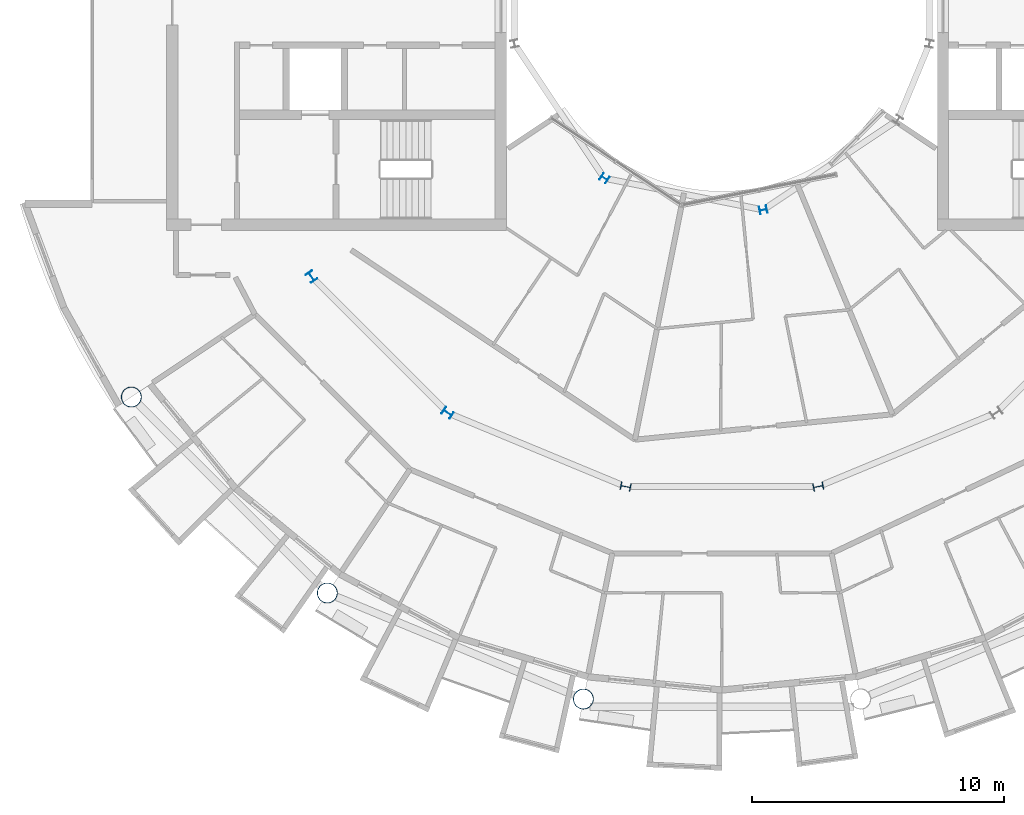
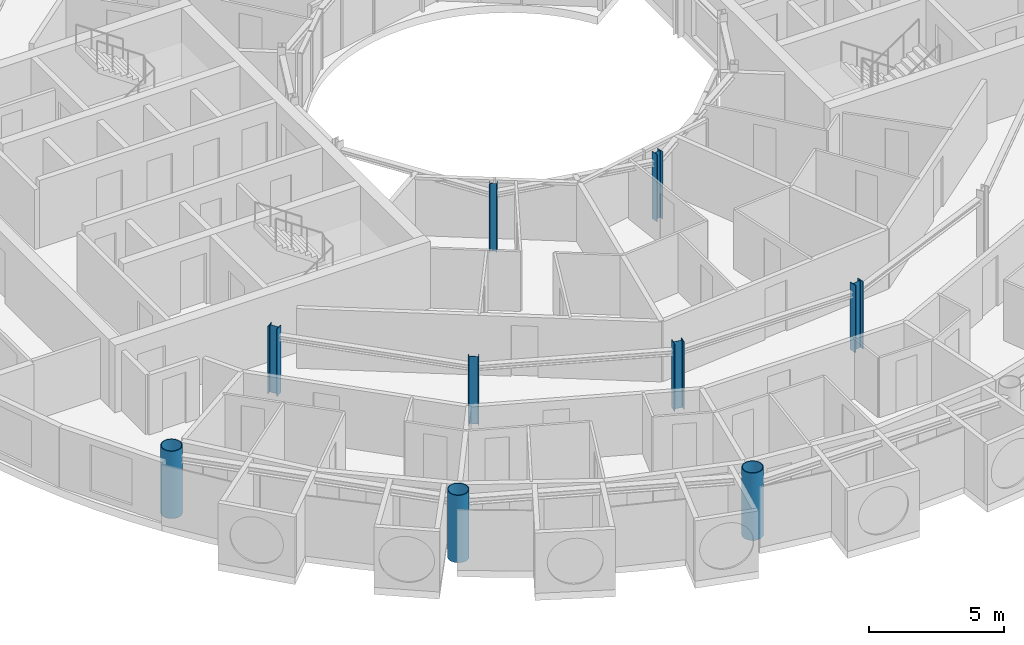
# One storey, part 1 of 29: 9 columns.
"""IFC4 building model written with IfcOpenShell, lengths in metres."""

from ifc_helpers import new_model, si_unit, direction, frame, origin, origin_2d, place, context, subcontext, project, spatial, hollow_circle, i_section, extrude, material, material_profile, profile_set, type_object, element, save


model = new_model("IFC4")

# Units and contexts
model_context = context("Model", 3, precision=1e-05, world=origin(), true_north=direction((0.0, 1.0)))
body_context = subcontext(model_context, "Body", "Model", "MODEL_VIEW")
ifc_project = project(units=[si_unit("LENGTHUNIT", "METRE"), si_unit("AREAUNIT", "SQUARE_METRE"), si_unit("VOLUMEUNIT", "CUBIC_METRE"), si_unit("PLANEANGLEUNIT", "RADIAN"), si_unit("MASSUNIT", "GRAM", prefix="KILO")], contexts=[model_context])

# Site, building, storey
site_placement = place(None, origin())
site = spatial("IfcSite", under=ifc_project, at=site_placement, CompositionType="ELEMENT")
building_placement = place(site_placement, origin())
building = spatial("IfcBuilding", under=site, at=building_placement, Name="Maasbend Ring Residences", CompositionType="ELEMENT")
storey_placement = place(building_placement, frame((0.0, 0.0, 215.75)))
storey = spatial("IfcBuildingStorey", under=building, at=storey_placement, Name="L62", CompositionType="ELEMENT", Elevation=215.75)

# Columns
ifc_material_1 = material(Name="Composite concrete-filled steel tube S460NH / C80/95", Category="concrete")
ifc_material_profile_1 = material_profile(ifc_material_1, hollow_circle(Radius=0.406494140625, WallThickness=0.030029296875, at=origin_2d()), Name="Composite tube column CHS 813x30")
ifc_profile_set_1 = profile_set([ifc_material_profile_1], Name="Composite concrete-filled steel tube S460NH / C80/95")
column_type_1 = type_object("IfcColumnType", Name="Composite tube column CHS 813x30", PredefinedType="COLUMN", material=ifc_profile_set_1)
for number, where, z_axis, x_axis, name in (
    (1, (-23.447509765625, -15.6669921875, 0.0), (0.0, 0.0, 1.0), (1.0, 0.0, 0.0), "Outer column R10"),
    (2, (-15.6669921875, -23.447509765625, 0.0), (0.0, 0.0, 1.0), (1.0, 0.0, 0.0), "Outer column R11"),
    (3, (-5.50146484375, -27.658203125, 0.0), (0.0, 0.0, 1.0), (1.0, 0.0, 0.0), "Outer column R12"),
):
    element("IfcColumn", number, at=place(storey_placement, frame(where, z_axis=z_axis, x_axis=x_axis)), inside=storey, type_object=column_type_1, Name=name, PredefinedType="COLUMN", context=body_context, shape_type="SweptSolid", body=[
        extrude(hollow_circle(Radius=0.406494140625, WallThickness=0.030029296875, at=origin_2d()), origin(), (0.0, 0.0, 1.0), 3.050048828125),
    ])
ifc_material_2 = material(Name="Steel S355J2", Category="steel")
ifc_material_profile_2 = material_profile(ifc_material_2, i_section(OverallWidth=0.300048828125, OverallDepth=0.2900390625, WebThickness=0.008544921875, FlangeThickness=0.013916015625, FilletRadius=0.027099609375, at=origin_2d()), Name="HEA 300")
ifc_profile_set_2 = profile_set([ifc_material_profile_2], Name="Steel S355J2")
column_type_2 = type_object("IfcColumnType", Name="Steel column HEA 300", PredefinedType="COLUMN", material=ifc_profile_set_2)
for number, where, z_axis, x_axis, name in (
    (4, (-4.666748046875, -6.984375, 0.0), (0.0, 0.0, 1.0), (-0.55557023302, -0.831469612303, 0.0), "Well ring column R11"),
    (5, (1.638916015625, -8.238525390625, 0.0), (0.0, 0.0, 1.0), (0.195090322016, -0.980785280403, 0.0), "Well ring column R13"),
):
    element("IfcColumn", number, at=place(storey_placement, frame(where, z_axis=z_axis, x_axis=x_axis)), inside=storey, type_object=column_type_2, Name=name, PredefinedType="COLUMN", context=body_context, shape_type="SweptSolid", body=[
        extrude(i_section(OverallWidth=0.300048828125, OverallDepth=0.2900390625, WebThickness=0.008544921875, FlangeThickness=0.013916015625, FilletRadius=0.027099609375, at=origin_2d()), origin(), (0.0, 0.0, 1.0), 3.050048828125),
    ])
ifc_material_3 = material(Name="Steel S355J2", Category="steel")
ifc_material_profile_3 = material_profile(ifc_material_3, i_section(OverallWidth=0.300048828125, OverallDepth=0.39990234375, WebThickness=0.013427734375, FlangeThickness=0.02392578125, FilletRadius=0.027099609375, at=origin_2d()), Name="HEB 400")
ifc_profile_set_3 = profile_set([ifc_material_profile_3], Name="Steel S355J2")
column_type_3 = type_object("IfcColumnType", Name="Steel column HEB 400", PredefinedType="COLUMN", material=ifc_profile_set_3)
for number, where, z_axis, x_axis, name in (
    (6, (-16.296875, -10.88916015625, 0.0), (0.0, 0.0, 1.0), (-0.831469612303, -0.55557023302, 0.0), "Corridor ring column R10"),
    (7, (-10.88916015625, -16.296875, 0.0), (0.0, 0.0, 1.0), (-0.55557023302, -0.831469612303, 0.0), "Corridor ring column R11"),
    (8, (-3.82373046875, -19.223388671875, 0.0), (0.0, 0.0, 1.0), (-0.195090322016, -0.980785280403, 0.0), "Corridor ring column R12"),
    (9, (3.82373046875, -19.223388671875, 0.0), (0.0, 0.0, 1.0), (0.195090322016, -0.980785280403, 0.0), "Corridor ring column R13"),
):
    element("IfcColumn", number, at=place(storey_placement, frame(where, z_axis=z_axis, x_axis=x_axis)), inside=storey, type_object=column_type_3, Name=name, PredefinedType="COLUMN", context=body_context, shape_type="SweptSolid", body=[
        extrude(i_section(OverallWidth=0.300048828125, OverallDepth=0.39990234375, WebThickness=0.013427734375, FlangeThickness=0.02392578125, FilletRadius=0.027099609375, at=origin_2d()), origin(), (0.0, 0.0, 1.0), 3.050048828125),
    ])

save(model, "model.ifc")
